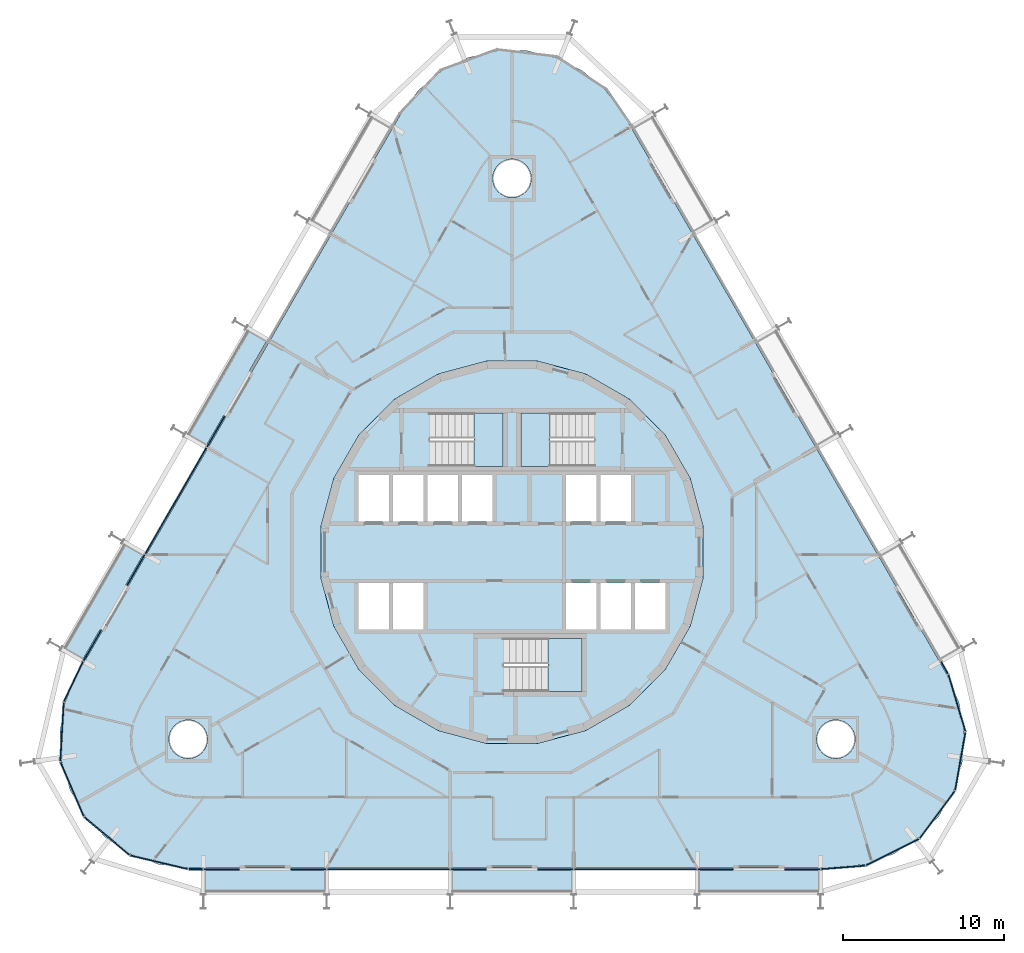
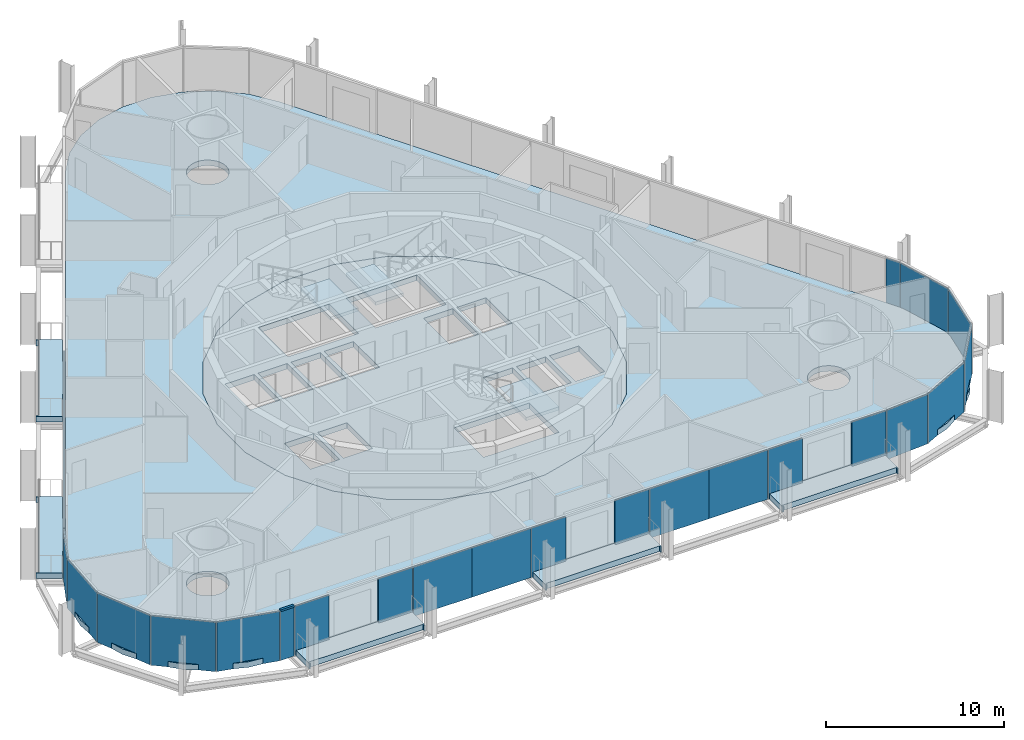
# One storey, part 11 of 20: 27 plates, 10 slabs, 1 member, 7 elements without a shape of their own.
"""IFC4 building model written with IfcOpenShell, lengths in metres."""

import ifcopenshell
import ifcopenshell.guid

model = None  # the IFC model being written
_history = None  # IfcOwnerHistory: only IFC2X3 demands one
_inside = {}  # id of a spatial element -> (the spatial element, [elements in it])
_under = {}  # id of a project, library or spatial element -> (it, [spatial elements below it])
_declared = {}  # id of a project -> (the project, [libraries it declares])
_typed = {}  # id of a type object -> (the type object, [elements of that type])
_made_of = {}  # id of a material, layer set ... -> (it, [elements and type objects made of it])


def new_model(schema):
    """Start an empty IFC model of exactly this schema.

    Asked for "IFC4X3", IfcOpenShell would pick the latest addendum, in which some entities
    have other attributes; the version numbers below select the first issue.
    IFC2X3 requires an IfcOwnerHistory on every rooted entity: one is made here for all.
    """
    global model, _history
    if schema == "IFC4X3":
        model = ifcopenshell.file(schema_version=(4, 3, 0, 0))
    else:
        model = ifcopenshell.file(schema=schema)
    _inside.clear()
    _under.clear()
    _declared.clear()
    _typed.clear()
    _made_of.clear()
    _history = None
    if model.schema == "IFC2X3":
        org = make("IfcOrganization", Name="unknown")
        user = make(
            "IfcPersonAndOrganization",
            ThePerson=make("IfcPerson", FamilyName="unknown"),
            TheOrganization=org,
        )
        app = make(
            "IfcApplication",
            ApplicationDeveloper=org,
            Version="unknown",
            ApplicationFullName="unknown",
            ApplicationIdentifier="unknown",
        )
        _history = make(
            "IfcOwnerHistory",
            OwningUser=user,
            OwningApplication=app,
            ChangeAction="ADDED",
            CreationDate=0,
        )
    return model


def make(cls, **values):
    """One entity of the class cls with the attributes given. An attribute that is None is left unset."""
    return model.create_entity(
        cls, **{name: value for name, value in values.items() if value is not None}
    )


def rooted(cls, **values):
    """An entity with a GlobalId (a new one), such as an element, a storey or a relation."""
    return make(cls, GlobalId=ifcopenshell.guid.new(), OwnerHistory=_history, **values)


def si_unit(unit_type, name, prefix=None):
    """IfcSIUnit, for example si_unit("LENGTHUNIT", "METRE", prefix="MILLI")."""
    return make("IfcSIUnit", UnitType=unit_type, Prefix=prefix, Name=name)


def assignment(units):
    """IfcUnitAssignment: the units of a project."""
    return None if units is None else make("IfcUnitAssignment", Units=units)


def point(xyz):
    """IfcCartesianPoint."""
    return None if xyz is None else make("IfcCartesianPoint", Coordinates=xyz)


def direction(xyz):
    """IfcDirection."""
    return None if xyz is None else make("IfcDirection", DirectionRatios=xyz)


def frame(location, z_axis=None, x_axis=None):
    """IfcAxis2Placement3D, a coordinate frame: its origin and axes. An axis left out is left unset."""
    return make(
        "IfcAxis2Placement3D",
        Location=point(location),
        Axis=direction(z_axis),
        RefDirection=direction(x_axis),
    )


def frame_2d(location, x_axis=None):
    """IfcAxis2Placement2D, a coordinate frame in the plane: its origin and x axis."""
    return make(
        "IfcAxis2Placement2D", Location=point(location), RefDirection=direction(x_axis)
    )


def origin():
    """The frame at (0, 0, 0) with its axes left unset."""
    return frame((0.0, 0.0, 0.0))


def origin_2d():
    """The frame at (0, 0) in the plane with its x axis left unset."""
    return frame_2d((0.0, 0.0))


def place(relative_to, where):
    """IfcLocalPlacement: puts the frame where relative to a parent placement (None: the world)."""
    return make(
        "IfcLocalPlacement", PlacementRelTo=relative_to, RelativePlacement=where
    )


def context(
    kind, dimensions, precision=None, world=None, true_north=None, identifier=None
):
    """IfcGeometricRepresentationContext, for example the 3D "Model" context."""
    return make(
        "IfcGeometricRepresentationContext",
        ContextIdentifier=identifier,
        ContextType=kind,
        CoordinateSpaceDimension=dimensions,
        Precision=precision,
        WorldCoordinateSystem=world,
        TrueNorth=true_north,
    )


def subcontext(parent, identifier, kind, view, scale=None):
    """IfcGeometricRepresentationSubContext, for example "Body" below "Model"."""
    return make(
        "IfcGeometricRepresentationSubContext",
        ContextIdentifier=identifier,
        ContextType=kind,
        ParentContext=parent,
        TargetScale=scale,
        TargetView=view,
    )


def project(units=None, contexts=None):
    """IfcProject with its units and contexts."""
    return rooted(
        "IfcProject",
        Name="project",
        RepresentationContexts=contexts,
        UnitsInContext=assignment(units),
    )


def spatial(cls, under=None, at=None, **own):
    """A site, building, storey or space (cls), placed at a placement, below another one or the project."""
    s = rooted(cls, ObjectPlacement=at, **own)
    if under is not None:
        _under.setdefault(under.id(), (under, []))[1].append(s)
    return s


def polyline(points):
    """IfcPolyline through the points."""
    return make("IfcPolyline", Points=[point(p) for p in points])


def profile(cls, at=None, kind="AREA", **sizes):
    """A parametric profile (cls). Its sizes go by their IFC names, for example OverallWidth=200.0."""
    return make(cls, ProfileType=kind, Position=at, **sizes)


def rectangle(**sizes):
    """IfcRectangleProfileDef."""
    return profile("IfcRectangleProfileDef", **sizes)


def outline(outer, holes=None, kind="AREA"):
    """IfcArbitraryClosedProfileDef: a profile drawn as a closed curve; with holes, ...WithVoids."""
    if holes is None:
        return make("IfcArbitraryClosedProfileDef", ProfileType=kind, OuterCurve=outer)
    return make(
        "IfcArbitraryProfileDefWithVoids",
        ProfileType=kind,
        OuterCurve=outer,
        InnerCurves=holes,
    )


def extrude(swept, where, along, depth):
    """IfcExtrudedAreaSolid: the profile swept, set in the frame where, extruded along a direction by depth."""
    return make(
        "IfcExtrudedAreaSolid",
        SweptArea=swept,
        Position=where,
        ExtrudedDirection=direction(along),
        Depth=depth,
    )


def shape(context_of_items, identifier, shape_type, items):
    """IfcShapeRepresentation: the items that make up one representation, for example the "Body"."""
    return make(
        "IfcShapeRepresentation",
        ContextOfItems=context_of_items,
        RepresentationIdentifier=identifier,
        RepresentationType=shape_type,
        Items=items,
    )


def material(Name=None, Category=None):
    """IfcMaterial."""
    return make("IfcMaterial", Name=Name, Category=Category)


def layer(
    of_material, thickness, ventilated=None, Name=None, Category=None, Priority=None
):
    """IfcMaterialLayer: one layer of a wall or slab, of a material (None: an air gap)."""
    return make(
        "IfcMaterialLayer",
        Material=of_material,
        LayerThickness=thickness,
        IsVentilated=ventilated,
        Name=Name,
        Category=Category,
        Priority=Priority,
    )


def layer_set(layers, Name=None):
    """IfcMaterialLayerSet."""
    return make("IfcMaterialLayerSet", MaterialLayers=layers, LayerSetName=Name)


def material_profile(
    of_material, cross_section, Name=None, Category=None, Priority=None
):
    """IfcMaterialProfile: a cross section and its material."""
    return make(
        "IfcMaterialProfile",
        Name=Name,
        Material=of_material,
        Profile=cross_section,
        Priority=Priority,
        Category=Category,
    )


def profile_set(profiles, Name=None, composite=None):
    """IfcMaterialProfileSet."""
    return make(
        "IfcMaterialProfileSet",
        Name=Name,
        MaterialProfiles=profiles,
        CompositeProfile=composite,
    )


def made_of(thing, what):
    """Note that an element or type object is made of a material, layer set ...; save() writes the relation."""
    if what is not None:
        _made_of.setdefault(what.id(), (what, []))[1].append(thing)
    return thing


def type_object(cls, material=None, **own):
    """A type object (cls), such as IfcWallType, which elements share."""
    return made_of(rooted(cls, **own), material)


def element(
    cls,
    number,
    at=None,
    inside=None,
    cuts=None,
    type_object=None,
    material=None,
    context=None,
    identifier="Body",
    shape_type=None,
    held_by="IfcProductDefinitionShape",
    body=None,
    shapes=None,
    **own,
):
    """One element of the class cls, such as IfcWall. Its Tag is "e" and its number.

    at: its placement. inside: the storey or other place that contains it. cuts: it is an
    opening in that element (IfcRelVoidsElement). A single representation is given by context,
    identifier, shape_type and body (its items); several are given by shapes. held_by: the class
    of the entity that holds the representations. save() writes the other relations.
    """
    e = rooted(cls, Tag="e%d" % number, ObjectPlacement=at, **own)
    if body is not None:
        shapes = [shape(context, identifier, shape_type, body)]
    if shapes is not None:
        e.Representation = make(held_by, Representations=shapes)
    if inside is not None:
        _inside.setdefault(inside.id(), (inside, []))[1].append(e)
    if cuts is not None:
        rooted(
            "IfcRelVoidsElement", RelatingBuildingElement=cuts, RelatedOpeningElement=e
        )
    if type_object is not None:
        _typed.setdefault(type_object.id(), (type_object, []))[1].append(e)
    return made_of(e, material)


def aggregate(whole, parts):
    """IfcRelAggregates: a whole, such as a stair, and the parts it consists of."""
    return rooted("IfcRelAggregates", RelatingObject=whole, RelatedObjects=parts)


def save(model, path):
    """Write the relations noted so far, then the file.

    IfcRelAggregates (storeys below a building ...), IfcRelContainedInSpatialStructure (elements
    in a storey), IfcRelDefinesByType, IfcRelAssociatesMaterial and IfcRelDeclares: one each for
    every whole, place, type object, material and project.
    """
    for whole, parts in _under.values():
        aggregate(whole, parts)
    for where, things in _inside.values():
        rooted(
            "IfcRelContainedInSpatialStructure",
            RelatedElements=things,
            RelatingStructure=where,
        )
    for kind, things in _typed.values():
        rooted("IfcRelDefinesByType", RelatedObjects=things, RelatingType=kind)
    for what, things in _made_of.values():
        rooted("IfcRelAssociatesMaterial", RelatedObjects=things, RelatingMaterial=what)
    for by, libraries in _declared.values():
        rooted("IfcRelDeclares", RelatingContext=by, RelatedDefinitions=libraries)
    model.write(path)


model = new_model("IFC4")

# Units and contexts
model_context = context("Model", 3, precision=1e-05, world=origin(), true_north=direction((0.0, 1.0)))
body_context = subcontext(model_context, "Body", "Model", "MODEL_VIEW")
ifc_project = project(units=[si_unit("LENGTHUNIT", "METRE"), si_unit("AREAUNIT", "SQUARE_METRE"), si_unit("VOLUMEUNIT", "CUBIC_METRE"), si_unit("PLANEANGLEUNIT", "RADIAN"), si_unit("MASSUNIT", "GRAM", prefix="KILO")], contexts=[model_context])

# Site, building, storey
site_placement = place(None, origin())
site = spatial("IfcSite", under=ifc_project, at=site_placement, CompositionType="ELEMENT")
building_placement = place(site_placement, origin())
building = spatial("IfcBuilding", under=site, at=building_placement, Name="Spindle Arch Residences", CompositionType="ELEMENT")
storey_placement = place(building_placement, frame((0.0, 0.0, 41.89990234375)))
storey = spatial("IfcBuildingStorey", under=building, at=storey_placement, Name="L08", CompositionType="ELEMENT", Elevation=41.89990234375)

# Curtain wall, member
ifc_material_1 = material(Name="Aluminium bronze unitised frame with tinted glass", Category="aluminium")
ifc_layer_1 = layer(ifc_material_1, 0.159912109375)
ifc_layer_set_1 = layer_set([ifc_layer_1], Name="CW-D corner wall on the fillet arcs")
curtain_wall_type_1 = type_object("IfcCurtainWallType", Name="CW-D corner wall on the fillet arcs", PredefinedType="NOTDEFINED", material=ifc_layer_set_1)
curtain_wall_1_placement = place(storey_placement, origin())
curtain_wall_1 = element("IfcCurtainWall", 1, at=curtain_wall_1_placement, inside=storey, type_object=curtain_wall_type_1, Name="CW-D L08 run 5", PredefinedType="NOTDEFINED")
ifc_material_2 = material(Name="Aluminium bronze anodised transom", Category="aluminium")
ifc_material_profile = material_profile(ifc_material_2, rectangle(XDim=0.159912109375, YDim=0.1201171875, at=origin_2d()), Name="TR 120x160")
ifc_profile_set = profile_set([ifc_material_profile], Name="Aluminium bronze anodised transom")
member_type = type_object("IfcMemberType", Name="Bronze transom 120x160", PredefinedType="USERDEFINED", material=ifc_profile_set)
member_placement = place(storey_placement, frame((-20.113525390625, -19.7099609375, 3.06005859375), z_axis=(1.0, 0.0, 0.0), x_axis=(0.0, 1.0, 0.0)))
member = element("IfcMember", 2, at=member_placement, type_object=member_type, Name="CW-D transom 05", ObjectType="TRANSOM", PredefinedType="USERDEFINED", context=body_context, shape_type="SweptSolid", body=[
    extrude(rectangle(XDim=0.159912109375, YDim=0.1201171875, at=origin_2d()), origin(), (0.0, 0.0, 1.0), 0.88330078125),
])

# Slabs
ifc_material_3 = material(Name="Concrete C40/50", Category="concrete")
ifc_layer_2 = layer(ifc_material_3, 0.3798828125)
ifc_layer_set_2 = layer_set([ifc_layer_2], Name="Balcony slab 380")
slab_type_1 = type_object("IfcSlabType", Name="Balcony slab 380", PredefinedType="FLOOR", material=ifc_layer_set_2)
slab_1_placement = place(storey_placement, frame((0.0, 0.0, -0.3798828125)))
element("IfcSlab", 3, at=slab_1_placement, inside=storey, type_object=slab_type_1, Name="Balcony L08 bay 2", PredefinedType="FLOOR", context=body_context, shape_type="SweptSolid", body=[
    extrude(outline(polyline([(11.59521484375, -21.280029296875), (11.670166015625, -21.280029296875), (11.670166015625, -21.1298828125), (19.05029296875, -21.1298828125), (19.05029296875, -21.280029296875), (19.125244140625, -21.280029296875), (19.125244140625, -19.789794921875), (16.960205078125, -19.789794921875), (16.960205078125, -19.6298828125), (13.76025390625, -19.6298828125), (13.76025390625, -19.789794921875), (11.59521484375, -19.789794921875), (11.59521484375, -21.280029296875)])), origin(), (0.0, 0.0, 1.0), 0.3798828125),
])
slab_2_placement = place(storey_placement, frame((0.0, 0.0, -0.3798828125)))
element("IfcSlab", 4, at=slab_2_placement, inside=storey, type_object=slab_type_1, Name="Balcony L08 bay 16", PredefinedType="FLOOR", context=body_context, shape_type="SweptSolid", body=[
    extrude(outline(polyline([(-16.54638671875, 13.900634765625), (-16.583984375, 13.835693359375), (-16.4541015625, 13.760498046875), (-20.14404296875, 7.369384765625), (-20.27392578125, 7.4443359375), (-20.3115234375, 7.37939453125), (-19.02099609375, 6.63427734375), (-17.9384765625, 8.50927734375), (-17.800048828125, 8.42919921875), (-16.199951171875, 11.20068359375), (-16.338623046875, 11.280517578125), (-15.256103515625, 13.155517578125), (-16.54638671875, 13.900634765625)])), origin(), (0.0, 0.0, 1.0), 0.3798828125),
])
slab_3_placement = place(storey_placement, frame((0.0, 0.0, -0.3798828125)))
element("IfcSlab", 5, at=slab_3_placement, inside=storey, type_object=slab_type_1, Name="Balcony L08 bay 18", PredefinedType="FLOOR", context=body_context, shape_type="SweptSolid", body=[
    extrude(outline(polyline([(-24.2265625, 0.598388671875), (-24.263916015625, 0.533447265625), (-24.134033203125, 0.458251953125), (-27.82421875, -5.93310546875), (-27.9541015625, -5.85791015625), (-27.991455078125, -5.9228515625), (-26.701171875, -6.66796875), (-25.61865234375, -4.79296875), (-25.47998046875, -4.873046875), (-23.880126953125, -2.1015625), (-24.0185546875, -2.021728515625), (-22.93603515625, -0.146728515625), (-24.2265625, 0.598388671875)])), origin(), (0.0, 0.0, 1.0), 0.3798828125),
])
slab_4_placement = place(storey_placement, frame((0.0, 0.0, -0.3798828125)))
element("IfcSlab", 6, at=slab_4_placement, inside=storey, type_object=slab_type_1, Name="Balcony L08 bay 22", PredefinedType="FLOOR", context=body_context, shape_type="SweptSolid", body=[
    extrude(outline(polyline([(-19.125244140625, -21.280029296875), (-19.05029296875, -21.280029296875), (-19.05029296875, -21.1298828125), (-11.670166015625, -21.1298828125), (-11.670166015625, -21.280029296875), (-11.59521484375, -21.280029296875), (-11.59521484375, -19.789794921875), (-13.76025390625, -19.789794921875), (-13.76025390625, -19.6298828125), (-16.960205078125, -19.6298828125), (-16.960205078125, -19.789794921875), (-19.125244140625, -19.789794921875), (-19.125244140625, -21.280029296875)])), origin(), (0.0, 0.0, 1.0), 0.3798828125),
])
slab_5_placement = place(storey_placement, frame((0.0, 0.0, -0.3798828125)))
element("IfcSlab", 7, at=slab_5_placement, inside=storey, type_object=slab_type_1, Name="Balcony L08 bay 24", PredefinedType="FLOOR", context=body_context, shape_type="SweptSolid", body=[
    extrude(outline(polyline([(-3.76513671875, -21.280029296875), (-3.68994140625, -21.280029296875), (-3.68994140625, -21.1298828125), (3.68994140625, -21.1298828125), (3.68994140625, -21.280029296875), (3.76513671875, -21.280029296875), (3.76513671875, -19.789794921875), (1.60009765625, -19.789794921875), (1.60009765625, -19.6298828125), (-1.60009765625, -19.6298828125), (-1.60009765625, -19.789794921875), (-3.76513671875, -19.789794921875), (-3.76513671875, -21.280029296875)])), origin(), (0.0, 0.0, 1.0), 0.3798828125),
])
ifc_material_4 = material(Name="Concrete C50/60", Category="concrete")
ifc_layer_3 = layer(ifc_material_4, 0.3798828125)
ifc_layer_set_3 = layer_set([ifc_layer_3], Name="Core floor slab 380")
slab_type_2 = type_object("IfcSlabType", Name="Core floor slab 380", PredefinedType="FLOOR", material=ifc_layer_set_3)
slab_6_placement = place(storey_placement, frame((0.0, 0.0, -0.3798828125)))
element("IfcSlab", 8, at=slab_6_placement, inside=storey, type_object=slab_type_2, Name="Core floor L08", PredefinedType="FLOOR", context=body_context, shape_type="SweptSolid", body=[
    extrude(outline(polyline([(1.56640625, -11.897216796875), (4.59228515625, -11.086669921875), (7.30517578125, -9.520263671875), (9.520263671875, -7.30517578125), (11.086669921875, -4.59228515625), (11.897216796875, -1.56640625), (11.897216796875, 1.56640625), (11.086669921875, 4.59228515625), (9.520263671875, 7.30517578125), (7.30517578125, 9.520263671875), (4.59228515625, 11.086669921875), (1.56640625, 11.897216796875), (-1.56640625, 11.897216796875), (-4.59228515625, 11.086669921875), (-7.30517578125, 9.520263671875), (-9.520263671875, 7.30517578125), (-11.086669921875, 4.59228515625), (-11.897216796875, 1.56640625), (-11.897216796875, -1.56640625), (-11.086669921875, -4.59228515625), (-9.520263671875, -7.30517578125), (-7.30517578125, -9.520263671875), (-4.59228515625, -11.086669921875), (-1.56640625, -11.897216796875), (1.56640625, -11.897216796875)]), holes=[polyline([(-9.550048828125, 1.89990234375), (-7.64990234375, 1.89990234375), (-7.64990234375, 4.800048828125), (-9.550048828125, 4.800048828125), (-9.550048828125, 1.89990234375)]), polyline([(-7.39990234375, 1.89990234375), (-5.5, 1.89990234375), (-5.5, 4.800048828125), (-7.39990234375, 4.800048828125), (-7.39990234375, 1.89990234375)]), polyline([(-5.25, 1.89990234375), (-3.35009765625, 1.89990234375), (-3.35009765625, 4.800048828125), (-5.25, 4.800048828125), (-5.25, 1.89990234375)]), polyline([(-3.10009765625, 1.89990234375), (-1.199951171875, 1.89990234375), (-1.199951171875, 4.800048828125), (-3.10009765625, 4.800048828125), (-3.10009765625, 1.89990234375)]), polyline([(3.35009765625, 1.89990234375), (5.25, 1.89990234375), (5.25, 4.800048828125), (3.35009765625, 4.800048828125), (3.35009765625, 1.89990234375)]), polyline([(5.5, 1.89990234375), (7.39990234375, 1.89990234375), (7.39990234375, 4.800048828125), (5.5, 4.800048828125), (5.5, 1.89990234375)]), polyline([(-9.550048828125, -4.800048828125), (-7.64990234375, -4.800048828125), (-7.64990234375, -1.89990234375), (-9.550048828125, -1.89990234375), (-9.550048828125, -4.800048828125)]), polyline([(-7.39990234375, -4.800048828125), (-5.5, -4.800048828125), (-5.5, -1.89990234375), (-7.39990234375, -1.89990234375), (-7.39990234375, -4.800048828125)]), polyline([(3.35009765625, -4.800048828125), (5.25, -4.800048828125), (5.25, -1.89990234375), (3.35009765625, -1.89990234375), (3.35009765625, -4.800048828125)]), polyline([(5.5, -4.800048828125), (7.39990234375, -4.800048828125), (7.39990234375, -1.89990234375), (5.5, -1.89990234375), (5.5, -4.800048828125)]), polyline([(7.64990234375, -4.800048828125), (9.550048828125, -4.800048828125), (9.550048828125, -1.89990234375), (7.64990234375, -1.89990234375), (7.64990234375, -4.800048828125)]), polyline([(5.1298828125, 8.669921875), (0.550048828125, 8.669921875), (0.550048828125, 5.35009765625), (5.1298828125, 5.35009765625), (5.1298828125, 8.669921875)]), polyline([(-5.1298828125, 5.35009765625), (-0.550048828125, 5.35009765625), (-0.550048828125, 8.669921875), (-5.1298828125, 8.669921875), (-5.1298828125, 5.35009765625)]), polyline([(-0.530029296875, -8.669921875), (4.35009765625, -8.669921875), (4.35009765625, -5.35009765625), (-0.530029296875, -5.35009765625), (-0.530029296875, -8.669921875)])]), origin(), (0.0, 0.0, 1.0), 0.3798828125),
])

# Stair, slab
ifc_material_5 = material(Name="Concrete C50/60", Category="concrete")
stair_type = type_object("IfcStairType", Name="Exit stair 16 risers", PredefinedType="HALF_TURN_STAIR", material=ifc_material_5)
stair_1_placement = place(storey_placement, origin())
stair_1 = element("IfcStair", 9, at=stair_1_placement, inside=storey, type_object=stair_type, Name="L08 Exit stair ST1", PredefinedType="HALF_TURN_STAIR")
ifc_material_6 = material(Name="Concrete C50/60", Category="concrete")
ifc_layer_4 = layer(ifc_material_6, 0.219970703125)
ifc_layer_set_4 = layer_set([ifc_layer_4], Name="Exit stair landing 220")
slab_type_3 = type_object("IfcSlabType", Name="Exit stair landing 220", PredefinedType="LANDING", material=ifc_layer_set_4)
slab_7_placement = place(storey_placement, frame((0.0, 0.0, 1.530029296875)))
slab_7 = element("IfcSlab", 10, at=slab_7_placement, type_object=slab_type_3, Name="ST1 landing 1", PredefinedType="LANDING", context=body_context, shape_type="SweptSolid", body=[
    extrude(outline(polyline([(2.3701171875, 8.669921875), (0.550048828125, 8.669921875), (0.550048828125, 5.35009765625), (2.3701171875, 5.35009765625), (2.3701171875, 8.669921875)])), origin(), (0.0, 0.0, 1.0), 0.219970703125),
])
aggregate(stair_1, [slab_7])

stair_2_placement = place(storey_placement, origin())
stair_2 = element("IfcStair", 11, at=stair_2_placement, inside=storey, type_object=stair_type, Name="L08 Exit stair ST2", PredefinedType="HALF_TURN_STAIR")
slab_8_placement = place(storey_placement, frame((0.0, 0.0, 1.530029296875)))
slab_8 = element("IfcSlab", 12, at=slab_8_placement, type_object=slab_type_3, Name="ST2 landing 1", PredefinedType="LANDING", context=body_context, shape_type="SweptSolid", body=[
    extrude(outline(polyline([(-2.3701171875, 5.35009765625), (-0.550048828125, 5.35009765625), (-0.550048828125, 8.669921875), (-2.3701171875, 8.669921875), (-2.3701171875, 5.35009765625)])), origin(), (0.0, 0.0, 1.0), 0.219970703125),
])
aggregate(stair_2, [slab_8])

stair_3_placement = place(storey_placement, origin())
stair_3 = element("IfcStair", 13, at=stair_3_placement, inside=storey, type_object=stair_type, Name="L08 Exit stair ST3", PredefinedType="HALF_TURN_STAIR")
slab_9_placement = place(storey_placement, frame((0.0, 0.0, 1.530029296875)))
slab_9 = element("IfcSlab", 14, at=slab_9_placement, type_object=slab_type_3, Name="ST3 landing 1", PredefinedType="LANDING", context=body_context, shape_type="SweptSolid", body=[
    extrude(outline(polyline([(2.22998046875, -8.669921875), (4.35009765625, -8.669921875), (4.35009765625, -5.35009765625), (2.22998046875, -5.35009765625), (2.22998046875, -8.669921875)])), origin(), (0.0, 0.0, 1.0), 0.219970703125),
])
aggregate(stair_3, [slab_9])

# Slab
ifc_material_7 = material(Name="Concrete C40/50", Category="concrete")
ifc_layer_5 = layer(ifc_material_7, 0.3798828125)
ifc_layer_set_5 = layer_set([ifc_layer_5], Name="Floor slab 380")
slab_type_4 = type_object("IfcSlabType", Name="Floor slab 380", PredefinedType="FLOOR", material=ifc_layer_set_5)
slab_10_placement = place(storey_placement, frame((0.0, 0.0, -0.3798828125)))
element("IfcSlab", 15, at=slab_10_placement, inside=storey, type_object=slab_type_4, Name="Floor slab L08", PredefinedType="FLOOR", context=body_context, shape_type="SweptSolid", body=[
    extrude(outline(polyline([(-21.988525390625, -19.414306640625), (-23.73388671875, -18.779052734375), (-25.285888671875, -17.75830078125), (-26.560546875, -16.4072265625), (-27.4892578125, -14.798583984375), (-28.022216796875, -13.01904296875), (-28.130126953125, -11.164794921875), (-27.8076171875, -9.33544921875), (-27.07177734375, -7.6298828125), (-6.92822265625, 27.259765625), (-5.819091796875, 28.749755859375), (-4.39599609375, 29.943603515625), (-2.736083984375, 30.77734375), (-0.9287109375, 31.205810546875), (0.9287109375, 31.205810546875), (2.736083984375, 30.77734375), (4.39599609375, 29.943603515625), (5.819091796875, 28.749755859375), (6.92822265625, 27.259765625), (27.07177734375, -7.6298828125), (27.8076171875, -9.33544921875), (28.130126953125, -11.164794921875), (28.022216796875, -13.01904296875), (27.4892578125, -14.798583984375), (26.560546875, -16.4072265625), (25.285888671875, -17.75830078125), (23.73388671875, -18.779052734375), (21.988525390625, -19.414306640625), (20.1435546875, -19.6298828125), (0.0, -19.6298828125), (-20.1435546875, -19.6298828125), (-21.988525390625, -19.414306640625)]), holes=[polyline([(7.30517578125, -9.520263671875), (9.520263671875, -7.30517578125), (11.086669921875, -4.59228515625), (11.897216796875, -1.56640625), (11.897216796875, 1.56640625), (11.086669921875, 4.59228515625), (9.520263671875, 7.30517578125), (7.30517578125, 9.520263671875), (4.59228515625, 11.086669921875), (1.56640625, 11.897216796875), (-1.56640625, 11.897216796875), (-4.59228515625, 11.086669921875), (-7.30517578125, 9.520263671875), (-9.520263671875, 7.30517578125), (-11.086669921875, 4.59228515625), (-11.897216796875, 1.56640625), (-11.897216796875, -1.56640625), (-11.086669921875, -4.59228515625), (-9.520263671875, -7.30517578125), (-7.30517578125, -9.520263671875), (-4.59228515625, -11.086669921875), (-1.56640625, -11.897216796875), (1.56640625, -11.897216796875), (4.59228515625, -11.086669921875), (7.30517578125, -9.520263671875)]), polyline([(-19.295166015625, -12.478515625), (-19.145751953125, -12.296630859375), (-19.034912109375, -12.089111328125), (-18.966796875, -11.864013671875), (-18.943603515625, -11.6298828125), (-18.966796875, -11.395751953125), (-19.034912109375, -11.170654296875), (-19.145751953125, -10.963134765625), (-19.295166015625, -10.781494140625), (-19.476806640625, -10.632080078125), (-19.684326171875, -10.521240234375), (-19.909423828125, -10.452880859375), (-20.1435546875, -10.429931640625), (-20.377685546875, -10.452880859375), (-20.602783203125, -10.521240234375), (-20.810302734375, -10.632080078125), (-20.9921875, -10.781494140625), (-21.141357421875, -10.963134765625), (-21.252197265625, -11.170654296875), (-21.320556640625, -11.395751953125), (-21.343505859375, -11.6298828125), (-21.320556640625, -11.864013671875), (-21.252197265625, -12.089111328125), (-21.141357421875, -12.296630859375), (-20.9921875, -12.478515625), (-20.810302734375, -12.627685546875), (-20.602783203125, -12.738525390625), (-20.377685546875, -12.806884765625), (-20.1435546875, -12.829833984375), (-19.909423828125, -12.806884765625), (-19.684326171875, -12.738525390625), (-19.476806640625, -12.627685546875), (-19.295166015625, -12.478515625)]), polyline([(0.848388671875, 22.411376953125), (0.997802734375, 22.593017578125), (1.108642578125, 22.800537109375), (1.177001953125, 23.025634765625), (1.199951171875, 23.259765625), (1.177001953125, 23.493896484375), (1.108642578125, 23.718994140625), (0.997802734375, 23.926513671875), (0.848388671875, 24.1083984375), (0.666748046875, 24.257568359375), (0.459228515625, 24.368408203125), (0.234130859375, 24.436767578125), (0.0, 24.459716796875), (-0.234130859375, 24.436767578125), (-0.459228515625, 24.368408203125), (-0.666748046875, 24.257568359375), (-0.848388671875, 24.1083984375), (-0.997802734375, 23.926513671875), (-1.108642578125, 23.718994140625), (-1.177001953125, 23.493896484375), (-1.199951171875, 23.259765625), (-1.177001953125, 23.025634765625), (-1.108642578125, 22.800537109375), (-0.997802734375, 22.593017578125), (-0.848388671875, 22.411376953125), (-0.666748046875, 22.261962890625), (-0.459228515625, 22.151123046875), (-0.234130859375, 22.0830078125), (0.0, 22.059814453125), (0.234130859375, 22.0830078125), (0.459228515625, 22.151123046875), (0.666748046875, 22.261962890625), (0.848388671875, 22.411376953125)]), polyline([(20.9921875, -12.478515625), (21.141357421875, -12.296630859375), (21.252197265625, -12.089111328125), (21.320556640625, -11.864013671875), (21.343505859375, -11.6298828125), (21.320556640625, -11.395751953125), (21.252197265625, -11.170654296875), (21.141357421875, -10.963134765625), (20.9921875, -10.781494140625), (20.810302734375, -10.632080078125), (20.602783203125, -10.521240234375), (20.377685546875, -10.452880859375), (20.1435546875, -10.429931640625), (19.909423828125, -10.452880859375), (19.684326171875, -10.521240234375), (19.476806640625, -10.632080078125), (19.295166015625, -10.781494140625), (19.145751953125, -10.963134765625), (19.034912109375, -11.170654296875), (18.966796875, -11.395751953125), (18.943603515625, -11.6298828125), (18.966796875, -11.864013671875), (19.034912109375, -12.089111328125), (19.145751953125, -12.296630859375), (19.295166015625, -12.478515625), (19.476806640625, -12.627685546875), (19.684326171875, -12.738525390625), (19.909423828125, -12.806884765625), (20.1435546875, -12.829833984375), (20.377685546875, -12.806884765625), (20.602783203125, -12.738525390625), (20.810302734375, -12.627685546875), (20.9921875, -12.478515625)])]), origin(), (0.0, 0.0, 1.0), 0.3798828125),
])

# Curtain wall, plates
curtain_wall_2_placement = place(storey_placement, origin())
curtain_wall_2 = element("IfcCurtainWall", 16, at=curtain_wall_2_placement, inside=storey, type_object=curtain_wall_type_1, Name="CW-D L08 run 1", PredefinedType="NOTDEFINED")
ifc_material_8 = material(Name="Tinted double glazing over non-combustible spandrel zone with 0.55 mm stainless steel cavity fire stop (K0)", Category="steel")
ifc_layer_6 = layer(ifc_material_8, 0.070068359375)
ifc_layer_set_6 = layer_set([ifc_layer_6], Name="Unitised glass panel with spandrel zone and stainless cavity fire stop")
plate_type = type_object("IfcPlateType", Name="Unitised glass panel with spandrel zone and stainless cavity fire stop", PredefinedType="CURTAIN_PANEL", material=ifc_layer_set_6)
plate_1_placement = place(storey_placement, frame((20.603515625, -19.60107421875, -0.3798828125), z_axis=(0.0, 0.0, 1.0), x_axis=(0.997002907861, 0.077364085451, 0.0)))
plate_1 = element("IfcPlate", 17, at=plate_1_placement, type_object=plate_type, Name="CW-D unit 00", PredefinedType="CURTAIN_PANEL", context=body_context, shape_type="SweptSolid", body=[
    extrude(rectangle(XDim=2.755126953125, YDim=0.070068359375, at=origin_2d()), origin(), (0.0, 0.0, 1.0), 3.3798828125),
])
plate_2_placement = place(storey_placement, frame((23.672119140625, -18.65576171875, -0.3798828125), z_axis=(0.0, 0.0, 1.0), x_axis=(0.893632642326, 0.448799176213, 0.0)))
plate_2 = element("IfcPlate", 18, at=plate_2_placement, type_object=plate_type, Name="CW-D unit 01", PredefinedType="CURTAIN_PANEL", context=body_context, shape_type="SweptSolid", body=[
    extrude(rectangle(XDim=3.666748046875, YDim=0.070068359375, at=origin_2d()), origin(), (0.0, 0.0, 1.0), 3.3798828125),
])
plate_3_placement = place(storey_placement, frame((26.449951171875, -16.324951171875, -0.3798828125), z_axis=(0.0, 0.0, 1.0), x_axis=(0.597158595823, 0.802123189687, 0.0)))
plate_3 = element("IfcPlate", 19, at=plate_3_placement, type_object=plate_type, Name="CW-D unit 02", PredefinedType="CURTAIN_PANEL", context=body_context, shape_type="SweptSolid", body=[
    extrude(rectangle(XDim=3.666748046875, YDim=0.070068359375, at=origin_2d()), origin(), (0.0, 0.0, 1.0), 3.3798828125),
])
plate_4_placement = place(storey_placement, frame((27.88623046875, -12.9951171875, -0.3798828125), z_axis=(0.0, 0.0, 1.0), x_axis=(0.173648181019, 0.984807752421, 0.0)))
plate_4 = element("IfcPlate", 20, at=plate_4_placement, type_object=plate_type, Name="CW-D unit 03", PredefinedType="CURTAIN_PANEL", context=body_context, shape_type="SweptSolid", body=[
    extrude(rectangle(XDim=3.666748046875, YDim=0.070068359375, at=origin_2d()), origin(), (0.0, 0.0, 1.0), 3.3798828125),
])
plate_5_placement = place(storey_placement, frame((27.675537109375, -9.375, -0.3798828125), z_axis=(0.0, 0.0, 1.0), x_axis=(-0.28680323051, 0.957989512975, 0.0)))
plate_5 = element("IfcPlate", 21, at=plate_5_placement, type_object=plate_type, Name="CW-D unit 04", PredefinedType="CURTAIN_PANEL", context=body_context, shape_type="SweptSolid", body=[
    extrude(rectangle(XDim=3.666748046875, YDim=0.070068359375, at=origin_2d()), origin(), (0.0, 0.0, 1.0), 3.3798828125),
])
plate_6_placement = place(storey_placement, frame((26.9052734375, -7.181396484375, -0.3798828125), z_axis=(0.0, 0.0, 1.0), x_axis=(-0.5, 0.866025403784, 0.0)))
plate_6 = element("IfcPlate", 22, at=plate_6_placement, type_object=plate_type, Name="CW-D unit 05", PredefinedType="CURTAIN_PANEL", context=body_context, shape_type="SweptSolid", body=[
    extrude(rectangle(XDim=0.88330078125, YDim=0.070068359375, at=origin_2d()), origin(), (0.0, 0.0, 1.0), 3.3798828125),
])
aggregate(curtain_wall_2, [plate_1, plate_2, plate_3, plate_4, plate_5, plate_6])

ifc_material_9 = material(Name="Aluminium bronze unitised frame with tinted glass", Category="aluminium")
ifc_layer_7 = layer(ifc_material_9, 0.159912109375)
ifc_layer_set_7 = layer_set([ifc_layer_7], Name="CW-C typical residential unitised wall")
curtain_wall_type_2 = type_object("IfcCurtainWallType", Name="CW-C typical residential unitised wall", PredefinedType="NOTDEFINED", material=ifc_layer_set_7)
curtain_wall_3_placement = place(storey_placement, origin())
curtain_wall_3 = element("IfcCurtainWall", 23, at=curtain_wall_3_placement, inside=storey, type_object=curtain_wall_type_2, Name="CW-C L08 run 4", PredefinedType="NOTDEFINED")
plate_7_placement = place(storey_placement, frame((-18.421875, 7.512451171875, -0.3798828125), z_axis=(0.0, 0.0, 1.0), x_axis=(-0.5, -0.866025403784, 0.0)))
plate_7 = element("IfcPlate", 24, at=plate_7_placement, type_object=plate_type, Name="CW-C unit 15R", PredefinedType="CURTAIN_PANEL", context=body_context, shape_type="SweptSolid", body=[
    extrude(rectangle(XDim=2.2099609375, YDim=0.070068359375, at=origin_2d()), origin(), (0.0, 0.0, 1.0), 3.3798828125),
])
plate_8_placement = place(storey_placement, frame((-19.956787109375, 4.853515625, -0.3798828125), z_axis=(0.0, 0.0, 1.0), x_axis=(-0.5, -0.866025403784, 0.0)))
plate_8 = element("IfcPlate", 25, at=plate_8_placement, type_object=plate_type, Name="CW-C unit 16A", PredefinedType="CURTAIN_PANEL", context=body_context, shape_type="SweptSolid", body=[
    extrude(rectangle(XDim=3.81005859375, YDim=0.070068359375, at=origin_2d()), origin(), (0.0, 0.0, 1.0), 3.3798828125),
])
plate_9_placement = place(storey_placement, frame((-21.86181640625, 1.553955078125, -0.3798828125), z_axis=(0.0, 0.0, 1.0), x_axis=(-0.5, -0.866025403784, 0.0)))
plate_9 = element("IfcPlate", 26, at=plate_9_placement, type_object=plate_type, Name="CW-C unit 16B", PredefinedType="CURTAIN_PANEL", context=body_context, shape_type="SweptSolid", body=[
    extrude(rectangle(XDim=3.81005859375, YDim=0.070068359375, at=origin_2d()), origin(), (0.0, 0.0, 1.0), 3.3798828125),
])
plate_10_placement = place(storey_placement, frame((-23.396728515625, -1.104736328125, -0.3798828125), z_axis=(0.0, 0.0, 1.0), x_axis=(-0.5, -0.866025403784, 0.0)))
plate_10 = element("IfcPlate", 27, at=plate_10_placement, type_object=plate_type, Name="CW-C unit 17L", PredefinedType="CURTAIN_PANEL", context=body_context, shape_type="SweptSolid", body=[
    extrude(rectangle(XDim=2.2099609375, YDim=0.070068359375, at=origin_2d()), origin(), (0.0, 0.0, 1.0), 3.3798828125),
])
plate_11_placement = place(storey_placement, frame((-26.101806640625, -5.7900390625, -0.3798828125), z_axis=(0.0, 0.0, 1.0), x_axis=(-0.5, -0.866025403784, 0.0)))
plate_11 = element("IfcPlate", 28, at=plate_11_placement, type_object=plate_type, Name="CW-C unit 17R", PredefinedType="CURTAIN_PANEL", context=body_context, shape_type="SweptSolid", body=[
    extrude(rectangle(XDim=2.2099609375, YDim=0.070068359375, at=origin_2d()), origin(), (0.0, 0.0, 1.0), 3.3798828125),
])
aggregate(curtain_wall_3, [plate_7, plate_8, plate_9, plate_10, plate_11])

# Plate
plate_12_placement = place(storey_placement, frame((-27.27685546875, -8.042724609375, -0.3798828125), z_axis=(0.0, 0.0, 1.0), x_axis=(-0.431502189519, -0.902111889092, 0.0)))
plate_12 = element("IfcPlate", 29, at=plate_12_placement, type_object=plate_type, Name="CW-D unit 00", PredefinedType="CURTAIN_PANEL", context=body_context, shape_type="SweptSolid", body=[
    extrude(rectangle(XDim=2.755126953125, YDim=0.070068359375, at=origin_2d()), origin(), (0.0, 0.0, 1.0), 3.3798828125),
])

plate_13_placement = place(storey_placement, frame((-27.992431640625, -11.1728515625, -0.3798828125), z_axis=(0.0, 0.0, 1.0), x_axis=(-0.058144829968, -0.99830815821, 0.0)))
plate_13 = element("IfcPlate", 30, at=plate_13_placement, type_object=plate_type, Name="CW-D unit 01", PredefinedType="CURTAIN_PANEL", context=body_context, shape_type="SweptSolid", body=[
    extrude(rectangle(XDim=3.666748046875, YDim=0.070068359375, at=origin_2d()), origin(), (0.0, 0.0, 1.0), 3.3798828125),
])

plate_14_placement = place(storey_placement, frame((-27.36279296875, -14.743896484375, -0.3798828125), z_axis=(0.0, 0.0, 1.0), x_axis=(0.396079766691, -0.918216106599, 0.0)))
plate_14 = element("IfcPlate", 31, at=plate_14_placement, type_object=plate_type, Name="CW-D unit 02", PredefinedType="CURTAIN_PANEL", context=body_context, shape_type="SweptSolid", body=[
    extrude(rectangle(XDim=3.666748046875, YDim=0.070068359375, at=origin_2d()), origin(), (0.0, 0.0, 1.0), 3.3798828125),
])

plate_15_placement = place(storey_placement, frame((-25.197265625, -17.652587890625, -0.3798828125), z_axis=(0.0, 0.0, 1.0), x_axis=(0.766044445239, -0.64278760716, 0.0)))
plate_15 = element("IfcPlate", 32, at=plate_15_placement, type_object=plate_type, Name="CW-D unit 03", PredefinedType="CURTAIN_PANEL", context=body_context, shape_type="SweptSolid", body=[
    extrude(rectangle(XDim=3.666748046875, YDim=0.070068359375, at=origin_2d()), origin(), (0.0, 0.0, 1.0), 3.3798828125),
])

plate_16_placement = place(storey_placement, frame((-21.956787109375, -19.2802734375, -0.3798828125), z_axis=(0.0, 0.0, 1.0), x_axis=(0.973044871028, -0.230615868852, 0.0)))
plate_16 = element("IfcPlate", 33, at=plate_16_placement, type_object=plate_type, Name="CW-D unit 04", PredefinedType="CURTAIN_PANEL", context=body_context, shape_type="SweptSolid", body=[
    extrude(rectangle(XDim=3.666748046875, YDim=0.070068359375, at=origin_2d()), origin(), (0.0, 0.0, 1.0), 3.3798828125),
])

plate_17_placement = place(storey_placement, frame((-19.671875, -19.7099609375, -0.3798828125), z_axis=(0.0, 0.0, 1.0), x_axis=(1.0, 0.0, 0.0)))
plate_17 = element("IfcPlate", 34, at=plate_17_placement, type_object=plate_type, Name="CW-D unit 05", PredefinedType="CURTAIN_PANEL", context=body_context, shape_type="SweptSolid", body=[
    extrude(rectangle(XDim=0.88330078125, YDim=0.070068359375, at=origin_2d()), origin(), (0.0, 0.0, 1.0), 3.3798828125),
])

aggregate(curtain_wall_1, [plate_12, plate_13, plate_14, plate_15, plate_16, member, plate_17])

# Curtain wall, plates
curtain_wall_4_placement = place(storey_placement, origin())
curtain_wall_4 = element("IfcCurtainWall", 35, at=curtain_wall_4_placement, inside=storey, type_object=curtain_wall_type_2, Name="CW-C L08 run 6", PredefinedType="NOTDEFINED")
plate_18_placement = place(storey_placement, frame((-18.065185546875, -19.7099609375, -0.3798828125), z_axis=(0.0, 0.0, 1.0), x_axis=(1.0, 0.0, 0.0)))
plate_18 = element("IfcPlate", 36, at=plate_18_placement, type_object=plate_type, Name="CW-C unit 21L", PredefinedType="CURTAIN_PANEL", context=body_context, shape_type="SweptSolid", body=[
    extrude(rectangle(XDim=2.2099609375, YDim=0.070068359375, at=origin_2d()), origin(), (0.0, 0.0, 1.0), 3.3798828125),
])
plate_19_placement = place(storey_placement, frame((-12.655029296875, -19.7099609375, -0.3798828125), z_axis=(0.0, 0.0, 1.0), x_axis=(1.0, 0.0, 0.0)))
plate_19 = element("IfcPlate", 37, at=plate_19_placement, type_object=plate_type, Name="CW-C unit 21R", PredefinedType="CURTAIN_PANEL", context=body_context, shape_type="SweptSolid", body=[
    extrude(rectangle(XDim=2.2099609375, YDim=0.070068359375, at=origin_2d()), origin(), (0.0, 0.0, 1.0), 3.3798828125),
])
plate_20_placement = place(storey_placement, frame((-9.585205078125, -19.7099609375, -0.3798828125), z_axis=(0.0, 0.0, 1.0), x_axis=(1.0, 0.0, 0.0)))
plate_20 = element("IfcPlate", 38, at=plate_20_placement, type_object=plate_type, Name="CW-C unit 22A", PredefinedType="CURTAIN_PANEL", context=body_context, shape_type="SweptSolid", body=[
    extrude(rectangle(XDim=3.81005859375, YDim=0.070068359375, at=origin_2d()), origin(), (0.0, 0.0, 1.0), 3.3798828125),
])
plate_21_placement = place(storey_placement, frame((-5.775146484375, -19.7099609375, -0.3798828125), z_axis=(0.0, 0.0, 1.0), x_axis=(1.0, 0.0, 0.0)))
plate_21 = element("IfcPlate", 39, at=plate_21_placement, type_object=plate_type, Name="CW-C unit 22B", PredefinedType="CURTAIN_PANEL", context=body_context, shape_type="SweptSolid", body=[
    extrude(rectangle(XDim=3.81005859375, YDim=0.070068359375, at=origin_2d()), origin(), (0.0, 0.0, 1.0), 3.3798828125),
])
plate_22_placement = place(storey_placement, frame((-2.705078125, -19.7099609375, -0.3798828125), z_axis=(0.0, 0.0, 1.0), x_axis=(1.0, 0.0, 0.0)))
plate_22 = element("IfcPlate", 40, at=plate_22_placement, type_object=plate_type, Name="CW-C unit 23L", PredefinedType="CURTAIN_PANEL", context=body_context, shape_type="SweptSolid", body=[
    extrude(rectangle(XDim=2.2099609375, YDim=0.070068359375, at=origin_2d()), origin(), (0.0, 0.0, 1.0), 3.3798828125),
])
plate_23_placement = place(storey_placement, frame((2.705078125, -19.7099609375, -0.3798828125), z_axis=(0.0, 0.0, 1.0), x_axis=(1.0, 0.0, 0.0)))
plate_23 = element("IfcPlate", 41, at=plate_23_placement, type_object=plate_type, Name="CW-C unit 23R", PredefinedType="CURTAIN_PANEL", context=body_context, shape_type="SweptSolid", body=[
    extrude(rectangle(XDim=2.2099609375, YDim=0.070068359375, at=origin_2d()), origin(), (0.0, 0.0, 1.0), 3.3798828125),
])
plate_24_placement = place(storey_placement, frame((5.775146484375, -19.7099609375, -0.3798828125), z_axis=(0.0, 0.0, 1.0), x_axis=(1.0, 0.0, 0.0)))
plate_24 = element("IfcPlate", 42, at=plate_24_placement, type_object=plate_type, Name="CW-C unit 00A", PredefinedType="CURTAIN_PANEL", context=body_context, shape_type="SweptSolid", body=[
    extrude(rectangle(XDim=3.81005859375, YDim=0.070068359375, at=origin_2d()), origin(), (0.0, 0.0, 1.0), 3.3798828125),
])
plate_25_placement = place(storey_placement, frame((9.585205078125, -19.7099609375, -0.3798828125), z_axis=(0.0, 0.0, 1.0), x_axis=(1.0, 0.0, 0.0)))
plate_25 = element("IfcPlate", 43, at=plate_25_placement, type_object=plate_type, Name="CW-C unit 00B", PredefinedType="CURTAIN_PANEL", context=body_context, shape_type="SweptSolid", body=[
    extrude(rectangle(XDim=3.81005859375, YDim=0.070068359375, at=origin_2d()), origin(), (0.0, 0.0, 1.0), 3.3798828125),
])
plate_26_placement = place(storey_placement, frame((12.655029296875, -19.7099609375, -0.3798828125), z_axis=(0.0, 0.0, 1.0), x_axis=(1.0, 0.0, 0.0)))
plate_26 = element("IfcPlate", 44, at=plate_26_placement, type_object=plate_type, Name="CW-C unit 01L", PredefinedType="CURTAIN_PANEL", context=body_context, shape_type="SweptSolid", body=[
    extrude(rectangle(XDim=2.2099609375, YDim=0.070068359375, at=origin_2d()), origin(), (0.0, 0.0, 1.0), 3.3798828125),
])
plate_27_placement = place(storey_placement, frame((18.065185546875, -19.7099609375, -0.3798828125), z_axis=(0.0, 0.0, 1.0), x_axis=(1.0, 0.0, 0.0)))
plate_27 = element("IfcPlate", 45, at=plate_27_placement, type_object=plate_type, Name="CW-C unit 01R", PredefinedType="CURTAIN_PANEL", context=body_context, shape_type="SweptSolid", body=[
    extrude(rectangle(XDim=2.2099609375, YDim=0.070068359375, at=origin_2d()), origin(), (0.0, 0.0, 1.0), 3.3798828125),
])
aggregate(curtain_wall_4, [plate_18, plate_19, plate_20, plate_21, plate_22, plate_23, plate_24, plate_25, plate_26, plate_27])

save(model, "model.ifc")
